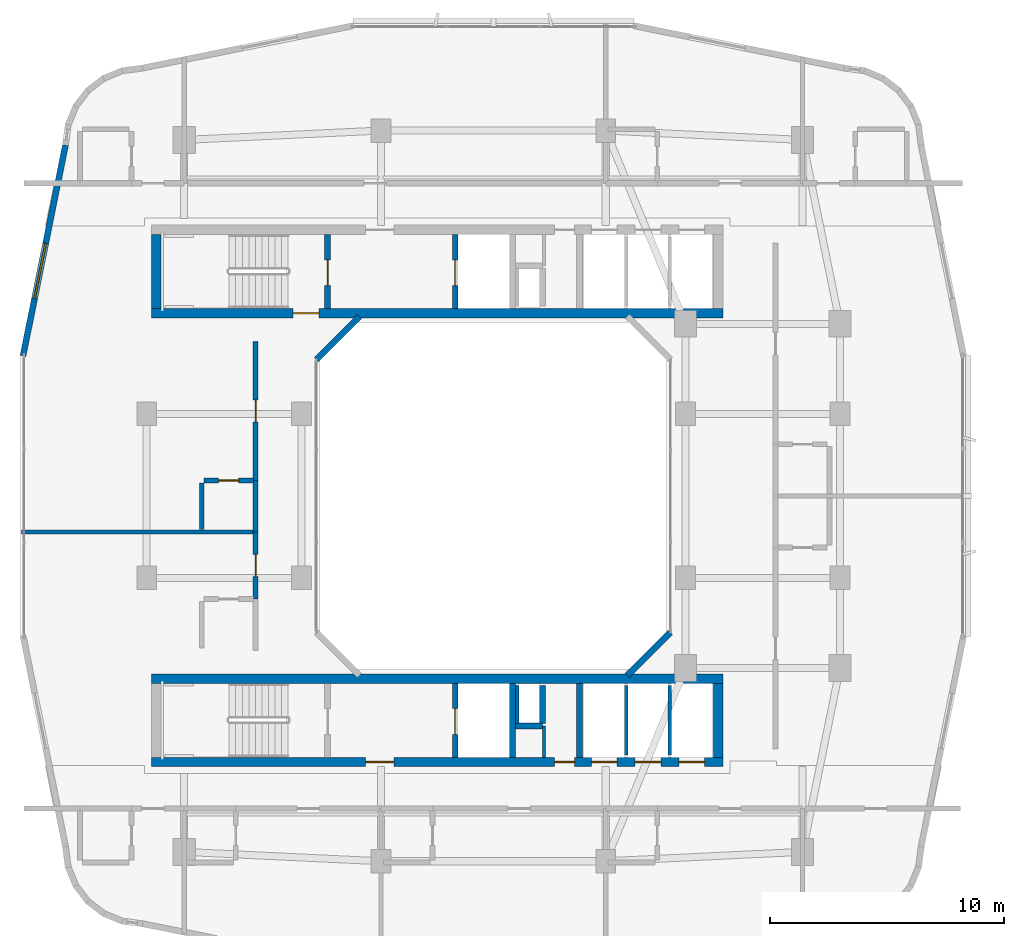
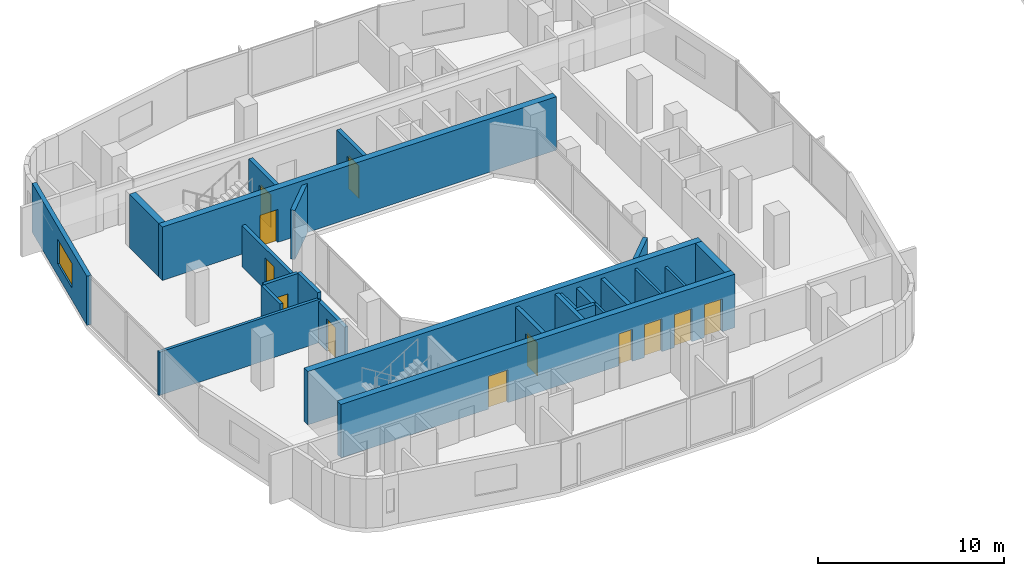
# One storey, part 13 of 26: 25 walls, 12 doors, 1 window, 13 openings.
"""IFC4 building model written with IfcOpenShell, lengths in metres."""

from ifc_helpers import new_model, si_unit, derived_unit, direction, frame, frame_2d, origin, place, context, subcontext, project, spatial, rectangle, extrude, material, layer, layer_set, type_object, element, fill, save


model = new_model("IFC4")

# Units and contexts
model_context = context("Model", 3, precision=1e-05, world=origin(), true_north=direction((0.0, 1.0)))
body_context = subcontext(model_context, "Body", "Model", "MODEL_VIEW")
ifc_project = project(units=[si_unit("LENGTHUNIT", "METRE"), si_unit("AREAUNIT", "SQUARE_METRE"), si_unit("VOLUMEUNIT", "CUBIC_METRE"), si_unit("PLANEANGLEUNIT", "RADIAN"), si_unit("MASSUNIT", "GRAM", prefix="KILO"), derived_unit("THERMALTRANSMITTANCEUNIT", [(si_unit("POWERUNIT", "WATT"), 1), (si_unit("LENGTHUNIT", "METRE"), -2), (si_unit("THERMODYNAMICTEMPERATUREUNIT", "KELVIN"), -1)])], contexts=[model_context])

# Site, building, storey
site_placement = place(None, origin())
site = spatial("IfcSite", under=ifc_project, at=site_placement, CompositionType="ELEMENT")
building_placement = place(site_placement, origin())
building = spatial("IfcBuilding", under=site, at=building_placement, Name="Kivonza Crest Hotel", CompositionType="ELEMENT")
storey_placement = place(building_placement, frame((0.0, 0.0, 127.5)))
storey = spatial("IfcBuildingStorey", under=building, at=storey_placement, Name="L34", CompositionType="ELEMENT", Elevation=127.5)

# Wall
ifc_material_1 = material(Name="High-density acoustic masonry inter-tenancy wall", Category="masonry")
ifc_layer_1 = layer(ifc_material_1, 0.179931640625)
ifc_layer_set_1 = layer_set([ifc_layer_1], Name="High-density acoustic masonry inter-tenancy wall")
wall_type_1 = type_object("IfcWallType", Name="WL-ACOU-180", PredefinedType="SOLIDWALL", material=ifc_layer_set_1)
wall_1_placement = place(storey_placement, frame((0.860107421875, 23.4599609375, 0.0), z_axis=(0.0, 0.0, 1.0), x_axis=(1.0, 0.0, 0.0)))
element("IfcWall", 1, at=wall_1_placement, inside=storey, type_object=wall_type_1, Name="L34 interior partition WA-L34-T1W-DIV1", PredefinedType="SOLIDWALL", context=body_context, shape_type="SweptSolid", body=[
    extrude(rectangle(XDim=9.989990234375, YDim=0.179931640625, at=frame_2d((4.9951171875, 0.0))), origin(), (0.0, 0.0, 1.0), 2.8349609375),
])

# Wall, opening, door
ifc_material_2 = material(Name="Autoclaved aerated concrete blockwork", Category="masonry")
ifc_layer_2 = layer(ifc_material_2, 0.219970703125)
ifc_layer_set_2 = layer_set([ifc_layer_2], Name="Autoclaved aerated concrete blockwork")
wall_type_2 = type_object("IfcWallType", Name="WL-ACOU-220", PredefinedType="SOLIDWALL", material=ifc_layer_set_2)
wall_2_placement = place(storey_placement, frame((10.85009765625, 20.60009765625, 0.0), z_axis=(0.0, 0.0, 1.0), x_axis=(0.0, 1.0, 0.0)))
wall_2 = element("IfcWall", 2, at=wall_2_placement, inside=storey, type_object=wall_type_2, Name="L34 interior partition WA-L34-W08-MCORR", PredefinedType="SOLIDWALL", context=body_context, shape_type="SweptSolid", body=[
    extrude(rectangle(XDim=2.85986328125, YDim=0.219970703125, at=frame_2d((1.429931640625, 0.0))), origin(), (0.0, 0.0, 1.0), 2.695068359375),
])
opening_1_placement = place(wall_2_placement, frame((0.955078125, 0.0, 0.0)))
opening_1 = element("IfcOpeningElement", 3, at=opening_1_placement, cuts=wall_2, Name="Opening DU-60", PredefinedType="OPENING", context=body_context, shape_type="SweptSolid", body=[
    extrude(rectangle(XDim=0.949951171875, YDim=2.10009765625, at=frame_2d((0.47509765625, 1.050048828125))), frame((0.0, 0.1201171875, 0.0), z_axis=(0.0, -1.0, 0.0), x_axis=(1.0, 0.0, 0.0)), (0.0, 0.0, 1.0), 0.239990234375),
])
ifc_material_3 = material(Name="Hardwood timber oak", Category="wood")
door_type_1 = type_object("IfcDoorType", Name="DR-UNIT-950", OperationType="NOTDEFINED", PredefinedType="DOOR", material=ifc_material_3)
door_1_placement = place(opening_1_placement, origin())
door_1 = element("IfcDoor", 4, at=door_1_placement, inside=storey, type_object=door_type_1, Name="L34 W08 guest unit entrance fire door", OperationType="SINGLE_SWING_RIGHT", OverallHeight=2.10009765625, OverallWidth=0.949951171875, PredefinedType="DOOR", context=body_context, shape_type="SweptSolid", body=[
    extrude(rectangle(XDim=0.949951171875, YDim=2.10009765625, at=frame_2d((0.47509765625, 1.050048828125))), frame((0.0, 0.02490234375, 0.0), z_axis=(0.0, -1.0, 0.0), x_axis=(1.0, 0.0, 0.0)), (0.0, 0.0, 1.0), 0.050048828125),
])
fill(opening_1, door_1)

# Wall
wall_3_placement = place(storey_placement, frame((10.85009765625, 23.4599609375, 0.0), z_axis=(0.0, 0.0, 1.0), x_axis=(0.0, 1.0, 0.0)))
element("IfcWall", 5, at=wall_3_placement, inside=storey, type_object=wall_type_2, Name="L34 interior partition WA-L34-W09-BCORR", PredefinedType="SOLIDWALL", context=body_context, shape_type="SweptSolid", body=[
    extrude(rectangle(XDim=2.199951171875, YDim=0.219970703125, at=frame_2d((1.10009765625, 0.0))), origin(), (0.0, 0.0, 1.0), 3.219970703125),
])

# Wall, opening, door
wall_4_placement = place(storey_placement, frame((10.85009765625, 25.659912109375, 0.0), z_axis=(0.0, 0.0, 1.0), x_axis=(0.0, 1.0, 0.0)))
wall_4 = element("IfcWall", 6, at=wall_4_placement, inside=storey, type_object=wall_type_2, Name="L34 interior partition WA-L34-W09-MCORR", PredefinedType="SOLIDWALL", context=body_context, shape_type="SweptSolid", body=[
    extrude(rectangle(XDim=5.940185546875, YDim=0.219970703125, at=frame_2d((2.97021484375, 0.0))), origin(), (0.0, 0.0, 1.0), 2.695068359375),
])
opening_2_placement = place(wall_4_placement, frame((2.4951171875, 0.0, 0.0)))
opening_2 = element("IfcOpeningElement", 7, at=opening_2_placement, cuts=wall_4, Name="Opening DU-60", PredefinedType="OPENING", context=body_context, shape_type="SweptSolid", body=[
    extrude(rectangle(XDim=0.949951171875, YDim=2.10009765625, at=frame_2d((0.47509765625, 1.050048828125))), frame((0.0, 0.1201171875, 0.0), z_axis=(0.0, -1.0, 0.0), x_axis=(1.0, 0.0, 0.0)), (0.0, 0.0, 1.0), 0.239990234375),
])
door_2_placement = place(opening_2_placement, origin())
door_2 = element("IfcDoor", 8, at=door_2_placement, inside=storey, type_object=door_type_1, Name="L34 W09 guest unit entrance fire door", OperationType="SINGLE_SWING_LEFT", OverallHeight=2.10009765625, OverallWidth=0.949951171875, PredefinedType="DOOR", context=body_context, shape_type="SweptSolid", body=[
    extrude(rectangle(XDim=0.949951171875, YDim=2.10009765625, at=frame_2d((0.47509765625, 1.050048828125))), frame((0.0, 0.02490234375, 0.0), z_axis=(0.0, -1.0, 0.0), x_axis=(1.0, 0.0, 0.0)), (0.0, 0.0, 1.0), 0.050048828125),
])
fill(opening_2, door_2)

ifc_material_4 = material(Name="Concrete C50/60", Category="concrete")
ifc_layer_3 = layer(ifc_material_4, 0.39990234375)
ifc_layer_set_3 = layer_set([ifc_layer_3], Name="Concrete C50/60")
wall_type_3 = type_object("IfcWallType", Name="WL-CORE-400", PredefinedType="SHEAR", material=ifc_layer_set_3)
wall_5_placement = place(storey_placement, frame((6.39990234375, 32.800048828125, 0.0), z_axis=(0.0, 0.0, 1.0), x_axis=(1.0, 0.0, 0.0)))
wall_5 = element("IfcWall", 9, at=wall_5_placement, inside=storey, type_object=wall_type_3, Name="Core wall T1-N South L34", PredefinedType="SHEAR", context=body_context, shape_type="SweptSolid", body=[
    extrude(rectangle(XDim=24.400146484375, YDim=0.39990234375, at=frame_2d((12.2001953125, 0.0))), origin(), (0.0, 0.0, 1.0), 3.5),
])
opening_3_placement = place(wall_5_placement, frame((6.050048828125, 0.0, 0.0)))
opening_3 = element("IfcOpeningElement", 10, at=opening_3_placement, cuts=wall_5, Name="Opening DF-120", PredefinedType="OPENING", context=body_context, shape_type="SweptSolid", body=[
    extrude(rectangle(XDim=1.10009765625, YDim=2.14990234375, at=frame_2d((0.550048828125, 1.074951171875))), frame((0.0, 0.2099609375, 0.0), z_axis=(0.0, -1.0, 0.0), x_axis=(1.0, 0.0, 0.0)), (0.0, 0.0, 1.0), 0.419921875),
])
ifc_material_5 = material(Name="Galvanised steel", Category="steel")
door_type_2 = type_object("IfcDoorType", Name="DR-FD120-1100", OperationType="NOTDEFINED", PredefinedType="DOOR", material=ifc_material_5)
door_3_placement = place(opening_3_placement, origin())
door_3 = element("IfcDoor", 11, at=door_3_placement, inside=storey, type_object=door_type_2, Name="L34 West corridor stair access fire door", OperationType="SINGLE_SWING_LEFT", OverallHeight=2.14990234375, OverallWidth=1.10009765625, PredefinedType="DOOR", context=body_context, shape_type="SweptSolid", body=[
    extrude(rectangle(XDim=1.10009765625, YDim=2.14990234375, at=frame_2d((0.550048828125, 1.074951171875))), frame((0.0, 0.02490234375, 0.0), z_axis=(0.0, -1.0, 0.0), x_axis=(1.0, 0.0, 0.0)), (0.0, 0.0, 1.0), 0.050048828125),
])
fill(opening_3, door_3)

# Wall
wall_6_placement = place(storey_placement, frame((6.60009765625, 33.0, 0.0), z_axis=(0.0, 0.0, 1.0), x_axis=(0.0, 1.0, 0.0)))
element("IfcWall", 12, at=wall_6_placement, inside=storey, type_object=wall_type_3, Name="Core wall T1-N West L34", PredefinedType="SHEAR", context=body_context, shape_type="SweptSolid", body=[
    extrude(rectangle(XDim=3.159912109375, YDim=0.39990234375, at=frame_2d((1.580078125, 0.0))), origin(), (0.0, 0.0, 1.0), 3.5),
])

# Wall, openings, doors
wall_7_placement = place(storey_placement, frame((6.39990234375, 13.639892578125, 0.0), z_axis=(0.0, 0.0, 1.0), x_axis=(1.0, 0.0, 0.0)))
wall_7 = element("IfcWall", 13, at=wall_7_placement, inside=storey, type_object=wall_type_3, Name="Core wall T1-S South L34", PredefinedType="SHEAR", context=body_context, shape_type="SweptSolid", body=[
    extrude(rectangle(XDim=24.400146484375, YDim=0.39990234375, at=frame_2d((12.2001953125, 0.0))), origin(), (0.0, 0.0, 1.0), 3.5),
])
opening_4_placement = place(wall_7_placement, frame((9.14990234375, 0.0, 0.0)))
opening_4 = element("IfcOpeningElement", 14, at=opening_4_placement, cuts=wall_7, Name="Opening DF-60", PredefinedType="OPENING", context=body_context, shape_type="SweptSolid", body=[
    extrude(rectangle(XDim=1.199951171875, YDim=2.14990234375, at=frame_2d((0.60009765625, 1.074951171875))), frame((0.0, 0.2099609375, 0.0), z_axis=(0.0, -1.0, 0.0), x_axis=(1.0, 0.0, 0.0)), (0.0, 0.0, 1.0), 0.419921875),
])
opening_5_placement = place(wall_7_placement, frame((17.219970703125, 0.0, 0.0)))
opening_5 = element("IfcOpeningElement", 15, at=opening_5_placement, cuts=wall_7, Name="Opening DF-60R", PredefinedType="OPENING", context=body_context, shape_type="SweptSolid", body=[
    extrude(rectangle(XDim=0.85009765625, YDim=2.10009765625, at=frame_2d((0.425048828125, 1.050048828125))), frame((0.0, 0.2099609375, 0.0), z_axis=(0.0, -1.0, 0.0), x_axis=(1.0, 0.0, 0.0)), (0.0, 0.0, 1.0), 0.419921875),
])
opening_6_placement = place(wall_7_placement, frame((18.782958984375, 0.0, 0.0)))
opening_6 = element("IfcOpeningElement", 16, at=opening_6_placement, cuts=wall_7, Name="Opening LD-120", PredefinedType="OPENING", context=body_context, shape_type="SweptSolid", body=[
    extrude(rectangle(XDim=1.10009765625, YDim=2.14990234375, at=frame_2d((0.550048828125, 1.074951171875))), frame((0.0, 0.2099609375, 0.0), z_axis=(0.0, -1.0, 0.0), x_axis=(1.0, 0.0, 0.0)), (0.0, 0.0, 1.0), 0.419921875),
])
opening_7_placement = place(wall_7_placement, frame((20.64990234375, 0.0, 0.0)))
opening_7 = element("IfcOpeningElement", 17, at=opening_7_placement, cuts=wall_7, Name="Opening LD-120", PredefinedType="OPENING", context=body_context, shape_type="SweptSolid", body=[
    extrude(rectangle(XDim=1.10009765625, YDim=2.14990234375, at=frame_2d((0.550048828125, 1.074951171875))), frame((0.0, 0.2099609375, 0.0), z_axis=(0.0, -1.0, 0.0), x_axis=(1.0, 0.0, 0.0)), (0.0, 0.0, 1.0), 0.419921875),
])
opening_8_placement = place(wall_7_placement, frame((22.51708984375, 0.0, 0.0)))
opening_8 = element("IfcOpeningElement", 18, at=opening_8_placement, cuts=wall_7, Name="Opening LD-120", PredefinedType="OPENING", context=body_context, shape_type="SweptSolid", body=[
    extrude(rectangle(XDim=1.10009765625, YDim=2.14990234375, at=frame_2d((0.550048828125, 1.074951171875))), frame((0.0, 0.2099609375, 0.0), z_axis=(0.0, -1.0, 0.0), x_axis=(1.0, 0.0, 0.0)), (0.0, 0.0, 1.0), 0.419921875),
])
door_type_3 = type_object("IfcDoorType", Name="DR-FD60-1200", OperationType="NOTDEFINED", PredefinedType="DOOR", material=ifc_material_3)
door_4_placement = place(opening_4_placement, frame((1.199951171875, 0.0, 0.0), z_axis=(0.0, 0.0, 1.0), x_axis=(-1.0, 0.0, 0.0)))
door_4 = element("IfcDoor", 19, at=door_4_placement, inside=storey, type_object=door_type_3, Name="L34 T1-S firefighting lobby fire door", OperationType="SINGLE_SWING_LEFT", OverallHeight=2.14990234375, OverallWidth=1.199951171875, PredefinedType="DOOR", context=body_context, shape_type="SweptSolid", body=[
    extrude(rectangle(XDim=1.199951171875, YDim=2.14990234375, at=frame_2d((0.60009765625, 1.074951171875))), frame((0.0, 0.02490234375, 0.0), z_axis=(0.0, -1.0, 0.0), x_axis=(1.0, 0.0, 0.0)), (0.0, 0.0, 1.0), 0.050048828125),
])
fill(opening_4, door_4)
door_type_4 = type_object("IfcDoorType", Name="DR-FD60-850", OperationType="NOTDEFINED", PredefinedType="DOOR", material=ifc_material_3)
door_5_placement = place(opening_5_placement, frame((0.85009765625, 0.0, 0.0), z_axis=(0.0, 0.0, 1.0), x_axis=(-1.0, 0.0, 0.0)))
door_5 = element("IfcDoor", 20, at=door_5_placement, inside=storey, type_object=door_type_4, Name="L34 T1-S core room door", OperationType="SINGLE_SWING_RIGHT", OverallHeight=2.10009765625, OverallWidth=0.85009765625, PredefinedType="DOOR", context=body_context, shape_type="SweptSolid", body=[
    extrude(rectangle(XDim=0.85009765625, YDim=2.10009765625, at=frame_2d((0.425048828125, 1.050048828125))), frame((0.0, 0.02490234375, 0.0), z_axis=(0.0, -1.0, 0.0), x_axis=(1.0, 0.0, 0.0)), (0.0, 0.0, 1.0), 0.050048828125),
])
fill(opening_5, door_5)
ifc_material_6 = material(Name="Stainless steel", Category="steel")
door_type_5 = type_object("IfcDoorType", Name="DR-LD120-1100", OperationType="NOTDEFINED", PredefinedType="DOOR", material=ifc_material_6)
door_6_placement = place(opening_6_placement, frame((1.10009765625, 0.0, 0.0), z_axis=(0.0, 0.0, 1.0), x_axis=(-1.0, 0.0, 0.0)))
door_6 = element("IfcDoor", 21, at=door_6_placement, inside=storey, type_object=door_type_5, Name="L34 PL-T1-H1 passenger lift sliding landing door", OperationType="DOUBLE_DOOR_SLIDING", OverallHeight=2.14990234375, OverallWidth=1.10009765625, PredefinedType="DOOR", context=body_context, shape_type="SweptSolid", body=[
    extrude(rectangle(XDim=1.10009765625, YDim=2.14990234375, at=frame_2d((0.550048828125, 1.074951171875))), frame((0.0, 0.02490234375, 0.0), z_axis=(0.0, -1.0, 0.0), x_axis=(1.0, 0.0, 0.0)), (0.0, 0.0, 1.0), 0.050048828125),
])
fill(opening_6, door_6)
door_7_placement = place(opening_7_placement, frame((1.10009765625, 0.0, 0.0), z_axis=(0.0, 0.0, 1.0), x_axis=(-1.0, 0.0, 0.0)))
door_7 = element("IfcDoor", 22, at=door_7_placement, inside=storey, type_object=door_type_5, Name="L34 PL-T1-H2 passenger lift sliding landing door", OperationType="DOUBLE_DOOR_SLIDING", OverallHeight=2.14990234375, OverallWidth=1.10009765625, PredefinedType="DOOR", context=body_context, shape_type="SweptSolid", body=[
    extrude(rectangle(XDim=1.10009765625, YDim=2.14990234375, at=frame_2d((0.550048828125, 1.074951171875))), frame((0.0, 0.02490234375, 0.0), z_axis=(0.0, -1.0, 0.0), x_axis=(1.0, 0.0, 0.0)), (0.0, 0.0, 1.0), 0.050048828125),
])
fill(opening_7, door_7)
door_8_placement = place(opening_8_placement, frame((1.10009765625, 0.0, 0.0), z_axis=(0.0, 0.0, 1.0), x_axis=(-1.0, 0.0, 0.0)))
door_8 = element("IfcDoor", 23, at=door_8_placement, inside=storey, type_object=door_type_5, Name="L34 PL-T1-H3 passenger lift sliding landing door", OperationType="DOUBLE_DOOR_SLIDING", OverallHeight=2.14990234375, OverallWidth=1.10009765625, PredefinedType="DOOR", context=body_context, shape_type="SweptSolid", body=[
    extrude(rectangle(XDim=1.10009765625, YDim=2.14990234375, at=frame_2d((0.550048828125, 1.074951171875))), frame((0.0, 0.02490234375, 0.0), z_axis=(0.0, -1.0, 0.0), x_axis=(1.0, 0.0, 0.0)), (0.0, 0.0, 1.0), 0.050048828125),
])
fill(opening_8, door_8)

# Walls
wall_8_placement = place(storey_placement, frame((6.39990234375, 17.199951171875, 0.0), z_axis=(0.0, 0.0, 1.0), x_axis=(1.0, 0.0, 0.0)))
element("IfcWall", 24, at=wall_8_placement, inside=storey, type_object=wall_type_3, Name="Core wall T1-S North L34", PredefinedType="SHEAR", context=body_context, shape_type="SweptSolid", body=[
    extrude(rectangle(XDim=24.400146484375, YDim=0.39990234375, at=frame_2d((12.2001953125, 0.0))), origin(), (0.0, 0.0, 1.0), 3.5),
])
wall_9_placement = place(storey_placement, frame((30.60009765625, 13.840087890625, 0.0), z_axis=(0.0, 0.0, 1.0), x_axis=(0.0, 1.0, 0.0)))
element("IfcWall", 25, at=wall_9_placement, inside=storey, type_object=wall_type_3, Name="Core wall T1-S East L34", PredefinedType="SHEAR", context=body_context, shape_type="SweptSolid", body=[
    extrude(rectangle(XDim=3.159912109375, YDim=0.39990234375, at=frame_2d((1.580078125, 0.0))), origin(), (0.0, 0.0, 1.0), 3.5),
])

# Wall, opening, window
ifc_material_7 = material(Name="Precast concrete C40/50", Category="concrete")
ifc_layer_4 = layer(ifc_material_7, 0.260009765625)
ifc_layer_set_4 = layer_set([ifc_layer_4], Name="Precast concrete C40/50")
wall_type_4 = type_object("IfcWallType", Name="WL-EXT-260", PredefinedType="STANDARD", material=ifc_layer_set_4)
wall_10_placement = place(storey_placement, frame((2.72900390625, 39.98193359375, 0.0), z_axis=(0.0, 0.0, 1.0), x_axis=(-0.197435082048, -0.980315963543, 0.0)))
wall_10 = element("IfcWall", 26, at=wall_10_placement, inside=storey, type_object=wall_type_4, Name="L34 T1 exterior insulated wall 34", PredefinedType="STANDARD", context=body_context, shape_type="SweptSolid", body=[
    extrude(rectangle(XDim=9.1826171875, YDim=0.260009765625, at=frame_2d((4.59130859375, 0.0))), origin(), (0.0, 0.0, 1.0), 3.219970703125),
])
opening_9_placement = place(wall_10_placement, frame((4.285888671875, 0.0, 0.800048828125)))
opening_9 = element("IfcOpeningElement", 27, at=opening_9_placement, cuts=wall_10, Name="Opening WN-05", PredefinedType="OPENING", context=body_context, shape_type="SweptSolid", body=[
    extrude(rectangle(XDim=2.39990234375, YDim=1.60009765625, at=frame_2d((1.199951171875, 0.800048828125))), frame((0.0, 0.14013671875, 0.0), z_axis=(0.0, -1.0, 0.0), x_axis=(1.0, 0.0, 0.0)), (0.0, 0.0, 1.0), 0.280029296875),
])
ifc_material_8 = material(Name="Thermally broken bronze aluminium and low-E double glazing", Category="aluminium")
window_type = type_object("IfcWindowType", Name="WN-240x160", PartitioningType="TRIPLE_PANEL_VERTICAL", PredefinedType="WINDOW", material=ifc_material_8)
window_placement = place(opening_9_placement, origin())
window = element("IfcWindow", 28, at=window_placement, inside=storey, type_object=window_type, Name="L34 T1 facade window 34", OverallHeight=1.60009765625, OverallWidth=2.39990234375, PartitioningType="SINGLE_PANEL", PredefinedType="WINDOW", context=body_context, shape_type="SweptSolid", body=[
    extrude(rectangle(XDim=2.39990234375, YDim=1.60009765625, at=frame_2d((1.199951171875, 0.800048828125))), frame((0.0, 0.030029296875, 0.0), z_axis=(0.0, -1.0, 0.0), x_axis=(1.0, 0.0, 0.0)), (0.0, 0.0, 1.0), 0.06005859375),
])
fill(opening_9, window)

# Walls
for number, where, z_axis, x_axis, name in (
    (29, (26.721923828125, 17.337890625, 0.0), (0.0, 0.0, 1.0), (0.707059717605, 0.707153841636, 0.0), "L34 T1 light-well exterior wall 2"),
    (30, (15.278076171875, 32.662109375, 0.0), (0.0, 0.0, 1.0), (-0.707059717605, -0.707153841636, 0.0), "L34 T1 light-well exterior wall 6"),
):
    element("IfcWall", number, at=place(storey_placement, frame(where, z_axis=z_axis, x_axis=x_axis)), inside=storey, type_object=wall_type_4, Name=name, PredefinedType="STANDARD", context=body_context, shape_type="SweptSolid", body=[
        extrude(rectangle(XDim=2.59375, YDim=0.260009765625, at=frame_2d((1.296875, 0.0))), origin(), (0.0, 0.0, 1.0), 3.219970703125),
    ])
ifc_material_9 = material(Name="Concrete blockwork fire-compartment wall", Category="masonry")
ifc_layer_5 = layer(ifc_material_9, 0.25)
ifc_layer_set_5 = layer_set([ifc_layer_5], Name="Concrete blockwork fire-compartment wall")
wall_type_5 = type_object("IfcWallType", Name="WL-FIRE-250", PredefinedType="SOLIDWALL", material=ifc_layer_set_5)
wall_11_placement = place(storey_placement, frame((23.10009765625, 15.280029296875, 0.0), z_axis=(0.0, 0.0, 1.0), x_axis=(0.0, 1.0, 0.0)))
element("IfcWall", 31, at=wall_11_placement, inside=storey, type_object=wall_type_5, Name="L34 interior partition WA-L34-T1-S-MEPR-E", PredefinedType="SOLIDWALL", context=body_context, shape_type="SweptSolid", body=[
    extrude(rectangle(XDim=1.619873046875, YDim=0.25, at=frame_2d((0.81005859375, 0.0))), origin(), (0.0, 0.0, 1.0), 3.219970703125),
])
wall_12_placement = place(storey_placement, frame((21.949951171875, 15.179931640625, 0.0), z_axis=(0.0, 0.0, 1.0), x_axis=(1.0, 0.0, 0.0)))
element("IfcWall", 32, at=wall_12_placement, inside=storey, type_object=wall_type_5, Name="L34 interior partition WA-L34-T1-S-MEPR-H", PredefinedType="SOLIDWALL", context=body_context, shape_type="SweptSolid", body=[
    extrude(rectangle(XDim=1.150146484375, YDim=0.25, at=frame_2d((0.5751953125, 0.0))), origin(), (0.0, 0.0, 1.0), 3.219970703125),
])
ifc_material_10 = material(Name="Metal-stud gypsum board partition", Category="gypsum")
ifc_layer_6 = layer(ifc_material_10, 0.125)
ifc_layer_set_6 = layer_set([ifc_layer_6], Name="Metal-stud gypsum board partition")
wall_type_6 = type_object("IfcWallType", Name="WL-PART-125", PredefinedType="PARTITIONING", material=ifc_layer_set_6)
wall_13_placement = place(storey_placement, frame((23.159912109375, 13.840087890625, 0.0), z_axis=(0.0, 0.0, 1.0), x_axis=(0.0, 1.0, 0.0)))
element("IfcWall", 33, at=wall_13_placement, inside=storey, type_object=wall_type_6, Name="L34 interior partition WP-L34-T1-S-SV1V", PredefinedType="PARTITIONING", context=body_context, shape_type="SweptSolid", body=[
    extrude(rectangle(XDim=1.33984375, YDim=0.125, at=frame_2d((0.669921875, 0.0))), origin(), (0.0, 0.0, 1.0), 3.219970703125),
])
ifc_material_11 = material(Name="Twin-stud acoustic gypsum board partition", Category="gypsum")
ifc_layer_7 = layer(ifc_material_11, 0.14990234375)
ifc_layer_set_7 = layer_set([ifc_layer_7], Name="Twin-stud acoustic gypsum board partition")
wall_type_7 = type_object("IfcWallType", Name="WL-PART-150", PredefinedType="PARTITIONING", material=ifc_layer_set_7)
wall_14_placement = place(storey_placement, frame((22.030029296875, 15.280029296875, 0.0), z_axis=(0.0, 0.0, 1.0), x_axis=(0.0, 1.0, 0.0)))
element("IfcWall", 34, at=wall_14_placement, inside=storey, type_object=wall_type_7, Name="L34 interior partition WA-L34-T1-S-MEPR-W", PredefinedType="PARTITIONING", context=body_context, shape_type="SweptSolid", body=[
    extrude(rectangle(XDim=1.619873046875, YDim=0.14990234375, at=frame_2d((0.81005859375, 0.0))), origin(), (0.0, 0.0, 1.0), 3.219970703125),
])
wall_15_placement = place(storey_placement, frame((26.6669921875, 13.93994140625, 0.0), z_axis=(0.0, 0.0, 1.0), x_axis=(0.0, 1.0, 0.0)))
element("IfcWall", 35, at=wall_15_placement, inside=storey, type_object=wall_type_7, Name="L34 interior partition WP-L34-T1-S-BSH-1", PredefinedType="PARTITIONING", context=body_context, shape_type="SweptSolid", body=[
    extrude(rectangle(XDim=2.9599609375, YDim=0.14990234375, at=frame_2d((1.47998046875, 0.0))), origin(), (0.0, 0.0, 1.0), 3.219970703125),
])
wall_16_placement = place(storey_placement, frame((28.532958984375, 13.93994140625, 0.0), z_axis=(0.0, 0.0, 1.0), x_axis=(0.0, 1.0, 0.0)))
element("IfcWall", 36, at=wall_16_placement, inside=storey, type_object=wall_type_7, Name="L34 interior partition WP-L34-T1-S-BSH-2", PredefinedType="PARTITIONING", context=body_context, shape_type="SweptSolid", body=[
    extrude(rectangle(XDim=2.9599609375, YDim=0.14990234375, at=frame_2d((1.47998046875, 0.0))), origin(), (0.0, 0.0, 1.0), 2.695068359375),
])

# Wall, opening, door
ifc_material_12 = material(Name="Moisture-resistant plumbing chase partition wall", Category="gypsum")
ifc_layer_8 = layer(ifc_material_12, 0.199951171875)
ifc_layer_set_8 = layer_set([ifc_layer_8], Name="Moisture-resistant plumbing chase partition wall")
wall_type_8 = type_object("IfcWallType", Name="WL-PLUMB-200", PredefinedType="PLUMBINGWALL", material=ifc_layer_set_8)
wall_17_placement = place(storey_placement, frame((8.64990234375, 25.659912109375, 0.0), z_axis=(0.0, 0.0, 1.0), x_axis=(1.0, 0.0, 0.0)))
wall_17 = element("IfcWall", 37, at=wall_17_placement, inside=storey, type_object=wall_type_8, Name="L34 interior partition WW-L34-W09-BH", PredefinedType="PLUMBINGWALL", context=body_context, shape_type="SweptSolid", body=[
    extrude(rectangle(XDim=2.10009765625, YDim=0.199951171875, at=frame_2d((1.050048828125, 0.0))), origin(), (0.0, 0.0, 1.0), 3.219970703125),
])
opening_10_placement = place(wall_17_placement, frame((0.625, 0.0, 0.0)))
opening_10 = element("IfcOpeningElement", 38, at=opening_10_placement, cuts=wall_17, Name="Opening DI-85", PredefinedType="OPENING", context=body_context, shape_type="SweptSolid", body=[
    extrude(rectangle(XDim=0.85009765625, YDim=2.10009765625, at=frame_2d((0.425048828125, 1.050048828125))), frame((0.0, 0.10986328125, 0.0), z_axis=(0.0, -1.0, 0.0), x_axis=(1.0, 0.0, 0.0)), (0.0, 0.0, 1.0), 0.219970703125),
])
door_type_6 = type_object("IfcDoorType", Name="DR-INT-850", OperationType="NOTDEFINED", PredefinedType="DOOR", material=ifc_material_3)
door_9_placement = place(opening_10_placement, origin())
door_9 = element("IfcDoor", 39, at=door_9_placement, inside=storey, type_object=door_type_6, Name="L34 W09 en-suite bathroom door", OperationType="SINGLE_SWING_RIGHT", OverallHeight=2.10009765625, OverallWidth=0.85009765625, PredefinedType="DOOR", context=body_context, shape_type="SweptSolid", body=[
    extrude(rectangle(XDim=0.85009765625, YDim=2.10009765625, at=frame_2d((0.425048828125, 1.050048828125))), frame((0.0, 0.02490234375, 0.0), z_axis=(0.0, -1.0, 0.0), x_axis=(1.0, 0.0, 0.0)), (0.0, 0.0, 1.0), 0.050048828125),
])
fill(opening_10, door_9)

# Wall
wall_18_placement = place(storey_placement, frame((8.550048828125, 23.56005859375, 0.0), z_axis=(0.0, 0.0, 1.0), x_axis=(0.0, 1.0, 0.0)))
element("IfcWall", 40, at=wall_18_placement, inside=storey, type_object=wall_type_8, Name="L34 interior partition WW-L34-W09-BV", PredefinedType="PLUMBINGWALL", context=body_context, shape_type="SweptSolid", body=[
    extrude(rectangle(XDim=2.0, YDim=0.199951171875, at=frame_2d((1.0, 0.0))), origin(), (0.0, 0.0, 1.0), 3.219970703125),
])

# Wall, opening, door
ifc_layer_9 = layer(ifc_material_4, 0.25)
ifc_layer_set_9 = layer_set([ifc_layer_9], Name="Concrete C50/60")
wall_type_9 = type_object("IfcWallType", Name="WL-SHAFT-250", PredefinedType="STANDARD", material=ifc_layer_set_9)
wall_19_placement = place(storey_placement, frame((13.925048828125, 33.0, 0.0), z_axis=(0.0, 0.0, 1.0), x_axis=(0.0, 1.0, 0.0)))
wall_19 = element("IfcWall", 41, at=wall_19_placement, inside=storey, type_object=wall_type_9, Name="Core shaft wall T1-N STAIR L34", PredefinedType="STANDARD", context=body_context, shape_type="SweptSolid", body=[
    extrude(rectangle(XDim=3.159912109375, YDim=0.25, at=frame_2d((1.580078125, 0.0))), origin(), (0.0, 0.0, 1.0), 3.219970703125),
])
opening_11_placement = place(wall_19_placement, frame((0.97998046875, 0.0, 0.0)))
opening_11 = element("IfcOpeningElement", 42, at=opening_11_placement, cuts=wall_19, Name="Opening DF-120", PredefinedType="OPENING", context=body_context, shape_type="SweptSolid", body=[
    extrude(rectangle(XDim=1.10009765625, YDim=2.14990234375, at=frame_2d((0.550048828125, 1.074951171875))), frame((0.0, 0.135009765625, 0.0), z_axis=(0.0, -1.0, 0.0), x_axis=(1.0, 0.0, 0.0)), (0.0, 0.0, 1.0), 0.27001953125),
])
door_10_placement = place(opening_11_placement, frame((1.10009765625, 0.0, 0.0), z_axis=(0.0, 0.0, 1.0), x_axis=(-1.0, 0.0, 0.0)))
door_10 = element("IfcDoor", 43, at=door_10_placement, inside=storey, type_object=door_type_2, Name="L34 T1-N stair fire door", OperationType="SINGLE_SWING_LEFT", OverallHeight=2.14990234375, OverallWidth=1.10009765625, PredefinedType="DOOR", context=body_context, shape_type="SweptSolid", body=[
    extrude(rectangle(XDim=1.10009765625, YDim=2.14990234375, at=frame_2d((0.550048828125, 1.074951171875))), frame((0.0, 0.02490234375, 0.0), z_axis=(0.0, -1.0, 0.0), x_axis=(1.0, 0.0, 0.0)), (0.0, 0.0, 1.0), 0.050048828125),
])
fill(opening_11, door_10)

wall_20_placement = place(storey_placement, frame((19.375, 33.0, 0.0), z_axis=(0.0, 0.0, 1.0), x_axis=(0.0, 1.0, 0.0)))
wall_20 = element("IfcWall", 44, at=wall_20_placement, inside=storey, type_object=wall_type_9, Name="Core shaft wall T1-N FFL-W L34", PredefinedType="STANDARD", context=body_context, shape_type="SweptSolid", body=[
    extrude(rectangle(XDim=3.159912109375, YDim=0.25, at=frame_2d((1.580078125, 0.0))), origin(), (0.0, 0.0, 1.0), 3.219970703125),
])
opening_12_placement = place(wall_20_placement, frame((0.97998046875, 0.0, 0.0)))
opening_12 = element("IfcOpeningElement", 45, at=opening_12_placement, cuts=wall_20, Name="Opening LD-120", PredefinedType="OPENING", context=body_context, shape_type="SweptSolid", body=[
    extrude(rectangle(XDim=1.10009765625, YDim=2.14990234375, at=frame_2d((0.550048828125, 1.074951171875))), frame((0.0, 0.135009765625, 0.0), z_axis=(0.0, -1.0, 0.0), x_axis=(1.0, 0.0, 0.0)), (0.0, 0.0, 1.0), 0.27001953125),
])
door_11_placement = place(opening_12_placement, origin())
door_11 = element("IfcDoor", 46, at=door_11_placement, inside=storey, type_object=door_type_5, Name="L34 FFL-T1-N firefighting lift sliding landing door", OperationType="DOUBLE_DOOR_SLIDING", OverallHeight=2.14990234375, OverallWidth=1.10009765625, PredefinedType="DOOR", context=body_context, shape_type="SweptSolid", body=[
    extrude(rectangle(XDim=1.10009765625, YDim=2.14990234375, at=frame_2d((0.550048828125, 1.074951171875))), frame((0.0, 0.02490234375, 0.0), z_axis=(0.0, -1.0, 0.0), x_axis=(1.0, 0.0, 0.0)), (0.0, 0.0, 1.0), 0.050048828125),
])
fill(opening_12, door_11)

wall_21_placement = place(storey_placement, frame((19.375, 13.840087890625, 0.0), z_axis=(0.0, 0.0, 1.0), x_axis=(0.0, 1.0, 0.0)))
wall_21 = element("IfcWall", 47, at=wall_21_placement, inside=storey, type_object=wall_type_9, Name="Core shaft wall T1-S FFL-W L34", PredefinedType="STANDARD", context=body_context, shape_type="SweptSolid", body=[
    extrude(rectangle(XDim=3.159912109375, YDim=0.25, at=frame_2d((1.580078125, 0.0))), origin(), (0.0, 0.0, 1.0), 3.219970703125),
])
opening_13_placement = place(wall_21_placement, frame((0.97998046875, 0.0, 0.0)))
opening_13 = element("IfcOpeningElement", 48, at=opening_13_placement, cuts=wall_21, Name="Opening LD-120", PredefinedType="OPENING", context=body_context, shape_type="SweptSolid", body=[
    extrude(rectangle(XDim=1.10009765625, YDim=2.14990234375, at=frame_2d((0.550048828125, 1.074951171875))), frame((0.0, 0.135009765625, 0.0), z_axis=(0.0, -1.0, 0.0), x_axis=(1.0, 0.0, 0.0)), (0.0, 0.0, 1.0), 0.27001953125),
])
door_12_placement = place(opening_13_placement, origin())
door_12 = element("IfcDoor", 49, at=door_12_placement, inside=storey, type_object=door_type_5, Name="L34 FFL-T1-S firefighting lift sliding landing door", OperationType="DOUBLE_DOOR_SLIDING", OverallHeight=2.14990234375, OverallWidth=1.10009765625, PredefinedType="DOOR", context=body_context, shape_type="SweptSolid", body=[
    extrude(rectangle(XDim=1.10009765625, YDim=2.14990234375, at=frame_2d((0.550048828125, 1.074951171875))), frame((0.0, 0.02490234375, 0.0), z_axis=(0.0, -1.0, 0.0), x_axis=(1.0, 0.0, 0.0)), (0.0, 0.0, 1.0), 0.050048828125),
])
fill(opening_13, door_12)

# Walls
for number, where, z_axis, x_axis, name in (
    (50, (21.824951171875, 13.840087890625, 0.0), (0.0, 0.0, 1.0), (0.0, 1.0, 0.0), "Core shaft wall T1-S FFL-E L34"),
    (51, (24.675048828125, 13.840087890625, 0.0), (0.0, 0.0, 1.0), (0.0, 1.0, 0.0), "Core shaft wall T1-S BANK-W L34"),
):
    element("IfcWall", number, at=place(storey_placement, frame(where, z_axis=z_axis, x_axis=x_axis)), inside=storey, type_object=wall_type_9, Name=name, PredefinedType="STANDARD", context=body_context, shape_type="SweptSolid", body=[
        extrude(rectangle(XDim=3.159912109375, YDim=0.25, at=frame_2d((1.580078125, 0.0))), origin(), (0.0, 0.0, 1.0), 3.219970703125),
    ])

save(model, "model.ifc")
